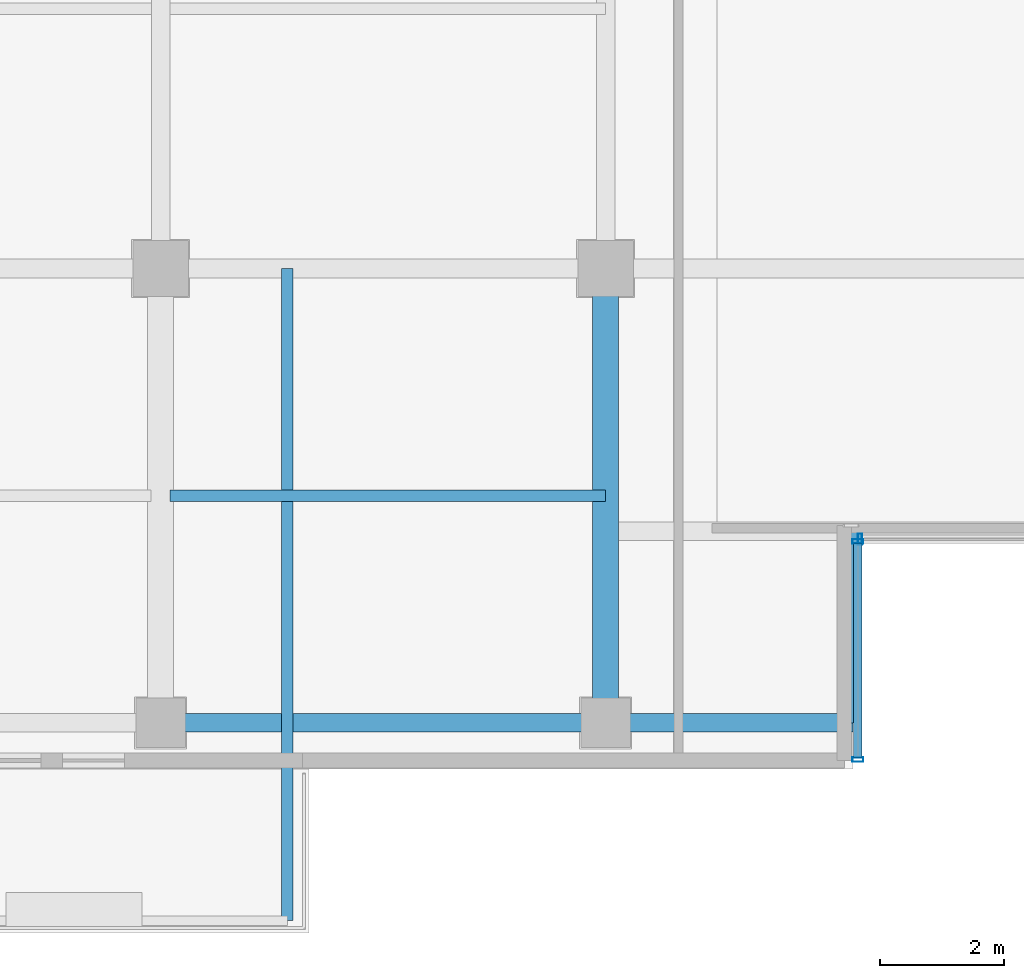
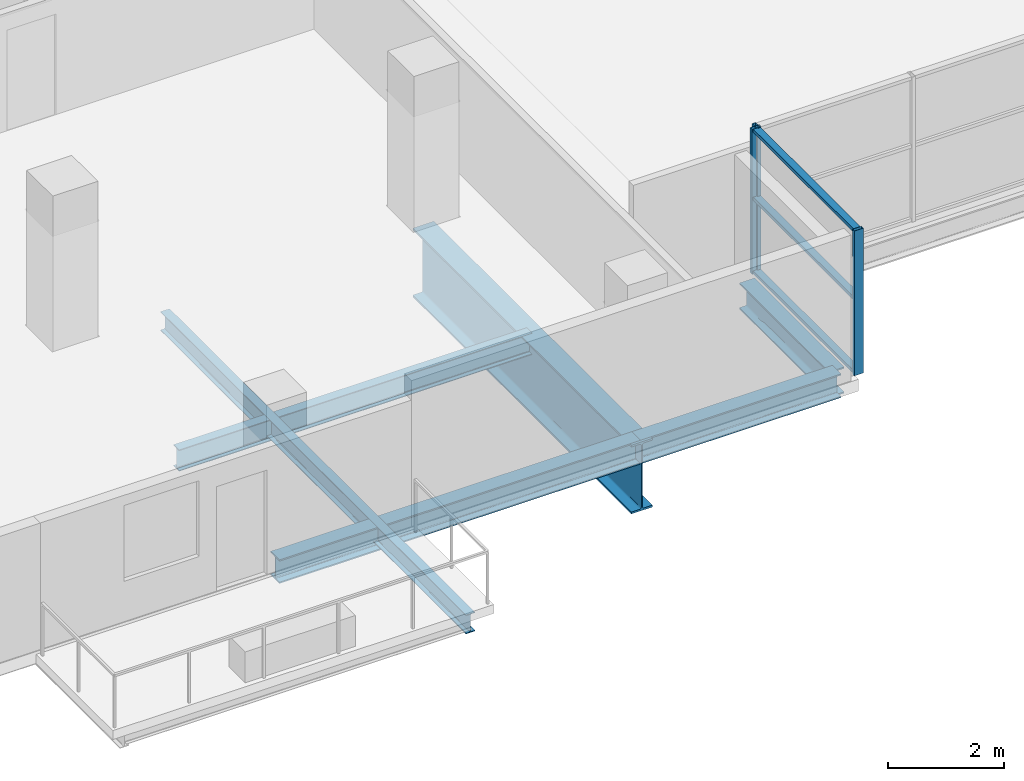
# One storey, part 5 of 27: 6 beams, 6 members, 2 elements without a shape of their own.
"""IFC4 building model written with IfcOpenShell, lengths in metres."""

from ifc_helpers import new_model, si_unit, direction, frame, origin, origin_2d, place, context, subcontext, project, spatial, hollow_rectangle, i_section, extrude, source, transform, mapped, material, layer, layer_set, material_profile, profile_set, type_object, element, aggregate, save


model = new_model("IFC4")

# Units and contexts
model_context = context("Model", 3, precision=1e-05, world=origin(), true_north=direction((0.0, 1.0)))
body_context = subcontext(model_context, "Body", "Model", "MODEL_VIEW")
ifc_project = project(units=[si_unit("LENGTHUNIT", "METRE"), si_unit("AREAUNIT", "SQUARE_METRE"), si_unit("VOLUMEUNIT", "CUBIC_METRE"), si_unit("PLANEANGLEUNIT", "RADIAN"), si_unit("MASSUNIT", "GRAM", prefix="KILO")], contexts=[model_context])

# Site, building, storey
site_placement = place(None, origin())
site = spatial("IfcSite", under=ifc_project, at=site_placement, CompositionType="ELEMENT")
building_placement = place(site_placement, origin())
building = spatial("IfcBuilding", under=site, at=building_placement, Name="Zarnakvel Exchange Tower", CompositionType="ELEMENT")
storey_placement = place(building_placement, frame((0.0, 0.0, 86.800048828125)))
storey = spatial("IfcBuildingStorey", under=building, at=storey_placement, Name="L23", CompositionType="ELEMENT", Elevation=86.800048828125)

# Beams
ifc_material_1 = material(Name="Steel S355", Category="steel")
ifc_material_profile_1 = material_profile(ifc_material_1, i_section(OverallWidth=0.18994140625, OverallDepth=0.449951171875, WebThickness=0.009521484375, FlangeThickness=0.0146484375, FilletRadius=0.02099609375, at=origin_2d()))
ifc_profile_set_1 = profile_set([ifc_material_profile_1], Name="Steel S355")
beam_type_1 = type_object("IfcBeamType", Name="B-05", PredefinedType="JOIST", material=ifc_profile_set_1)
beam_1_placement = place(storey_placement, frame((-14.2451171875, -13.27490234375, -0.47509765625), z_axis=(1.0, 0.0, 0.0), x_axis=(0.0, 1.0, 0.0)))
element("IfcBeam", 1, at=beam_1_placement, inside=storey, type_object=beam_type_1, Name="L23 Composite Floor Secondary Joist", PredefinedType="JOIST", context=body_context, shape_type="SweptSolid", body=[
    extrude(i_section(OverallWidth=0.18994140625, OverallDepth=0.449951171875, WebThickness=0.009521484375, FlangeThickness=0.0146484375, FilletRadius=0.02099609375, at=origin_2d()), origin(), (0.0, 0.0, 1.0), 7.045166015625),
])
ifc_material_profile_2 = material_profile(ifc_material_1, i_section(OverallWidth=0.179931640625, OverallDepth=0.39990234375, WebThickness=0.008544921875, FlangeThickness=0.013427734375, FilletRadius=0.02099609375, at=origin_2d()))
ifc_profile_set_2 = profile_set([ifc_material_profile_2], Name="Steel S355")
beam_type_2 = type_object("IfcBeamType", Name="B-06", PredefinedType="JOIST", material=ifc_profile_set_2)
beam_2_placement = place(storey_placement, frame((-12.35009765625, -9.60009765625, -0.449951171875), z_axis=(0.0, -1.0, 0.0), x_axis=(1.0, 0.0, 0.0)))
element("IfcBeam", 2, at=beam_2_placement, inside=storey, type_object=beam_type_2, Name="L23 Continuous Back-Spanned Balcony Beam E", PredefinedType="JOIST", context=body_context, shape_type="SweptSolid", body=[
    extrude(i_section(OverallWidth=0.179931640625, OverallDepth=0.39990234375, WebThickness=0.008544921875, FlangeThickness=0.013427734375, FilletRadius=0.02099609375, at=origin_2d()), origin(), (0.0, 0.0, 1.0), 10.5498046875),
])
ifc_material_profile_3 = material_profile(ifc_material_1, i_section(OverallWidth=0.300048828125, OverallDepth=0.550048828125, WebThickness=0.014892578125, FlangeThickness=0.029052734375, FilletRadius=0.027099609375, at=origin_2d()))
ifc_profile_set_3 = profile_set([ifc_material_profile_3], Name="Steel S355")
beam_type_3 = type_object("IfcBeamType", Name="G-05", PredefinedType="BEAM", material=ifc_profile_set_3)
beam_3_placement = place(storey_placement, frame((-3.199951171875, -16.949951171875, -0.525146484375), z_axis=(0.0, 1.0, 0.0), x_axis=(-1.0, 0.0, 0.0)))
element("IfcBeam", 3, at=beam_3_placement, inside=storey, type_object=beam_type_3, Name="L23 South Slot West Cheek Beam", PredefinedType="BEAM", context=body_context, shape_type="SweptSolid", body=[
    extrude(i_section(OverallWidth=0.300048828125, OverallDepth=0.550048828125, WebThickness=0.014892578125, FlangeThickness=0.029052734375, FilletRadius=0.027099609375, at=origin_2d()), origin(), (0.0, 0.0, 1.0), 3.099853515625),
])
ifc_material_profile_4 = material_profile(ifc_material_1, i_section(OverallWidth=0.300048828125, OverallDepth=0.5, WebThickness=0.014404296875, FlangeThickness=0.028076171875, FilletRadius=0.027099609375, at=origin_2d()))
ifc_profile_set_4 = profile_set([ifc_material_profile_4], Name="Steel S355")
beam_type_4 = type_object("IfcBeamType", Name="SP-02", PredefinedType="SPANDREL", material=ifc_profile_set_4)
beam_4_placement = place(storey_placement, frame((-14.39990234375, -16.949951171875, -0.5), z_axis=(1.0, 0.0, 0.0), x_axis=(0.0, 1.0, 0.0)))
element("IfcBeam", 4, at=beam_4_placement, inside=storey, type_object=beam_type_4, Name="L23 Tower E-W Frame Beam", PredefinedType="SPANDREL", context=body_context, shape_type="SweptSolid", body=[
    extrude(i_section(OverallWidth=0.300048828125, OverallDepth=0.5, WebThickness=0.014404296875, FlangeThickness=0.028076171875, FilletRadius=0.027099609375, at=origin_2d()), origin(), (0.0, 0.0, 1.0), 7.199951171875),
])
beam_5_placement = place(storey_placement, frame((-7.199951171875, -16.949951171875, -0.5), z_axis=(1.0, 0.0, 0.0), x_axis=(0.0, 1.0, 0.0)))
element("IfcBeam", 5, at=beam_5_placement, inside=storey, type_object=beam_type_4, Name="L23 South Slot West Jamb Spandrel", PredefinedType="SPANDREL", context=body_context, shape_type="SweptSolid", body=[
    extrude(i_section(OverallWidth=0.300048828125, OverallDepth=0.5, WebThickness=0.014404296875, FlangeThickness=0.028076171875, FilletRadius=0.027099609375, at=origin_2d()), origin(), (0.0, 0.0, 1.0), 4.0),
])
ifc_material_2 = material(Name="Steel S460", Category="steel")
ifc_material_profile_5 = material_profile(ifc_material_2, i_section(OverallWidth=0.419921875, OverallDepth=1.449951171875, WebThickness=0.02392578125, FlangeThickness=0.0400390625, FilletRadius=0.030029296875, at=origin_2d()))
ifc_profile_set_5 = profile_set([ifc_material_profile_5], Name="Steel S460")
beam_type_5 = type_object("IfcBeamType", Name="TG-01", PredefinedType="BEAM", material=ifc_profile_set_5)
beam_6_placement = place(storey_placement, frame((-7.199951171875, -17.14990234375, -0.97509765625), z_axis=(0.0, 1.0, 0.0), x_axis=(-1.0, 0.0, 0.0)))
element("IfcBeam", 6, at=beam_6_placement, inside=storey, type_object=beam_type_5, Name="L23 Setback N-S Transfer Girder TS-5", PredefinedType="BEAM", context=body_context, shape_type="SweptSolid", body=[
    extrude(i_section(OverallWidth=0.419921875, OverallDepth=1.449951171875, WebThickness=0.02392578125, FlangeThickness=0.0400390625, FilletRadius=0.030029296875, at=origin_2d()), origin(), (0.0, 0.0, 1.0), 7.5498046875),
])

# Curtain wall, members
ifc_material_3 = material(Name="Architectural Bronze Anodised Aluminium", Category="aluminium")
ifc_layer = layer(ifc_material_3, 0.179931640625)
ifc_layer_set = layer_set([ifc_layer], Name="Architectural Bronze Anodised Aluminium")
curtain_wall_type = type_object("IfcCurtainWallType", Name="CW-05", PredefinedType="NOTDEFINED", material=ifc_layer_set)
curtain_wall_1_placement = place(storey_placement, origin())
curtain_wall_1 = element("IfcCurtainWall", 7, at=curtain_wall_1_placement, inside=storey, type_object=curtain_wall_type, Name="L23 Curtain Wall CW-L23-SLW (CW-05)", PredefinedType="NOTDEFINED")
ifc_material_profile_6 = material_profile(ifc_material_3, hollow_rectangle(XDim=0.139892578125, YDim=0.070068359375, WallThickness=0.00390625, at=origin_2d()))
ifc_profile_set_6 = profile_set([ifc_material_profile_6], Name="Architectural Bronze Anodised Aluminium")
member_type_1 = type_object("IfcMemberType", Name="CWT-05", PredefinedType="USERDEFINED", material=ifc_profile_set_6)
shared_shape_1 = source(origin(), body_context, "Body", "SweptSolid", [
    extrude(hollow_rectangle(XDim=0.139892578125, YDim=0.070068359375, WallThickness=0.00390625, at=origin_2d()), origin(), (0.0, 0.0, 1.0), 3.4599609375),
])
member_1_placement = place(storey_placement, frame((-3.1201171875, -17.510009765625, 0.034912109375), z_axis=(0.0, 1.0, 0.0), x_axis=(-1.0, 0.0, 0.0)))
member_1 = element("IfcMember", 8, at=member_1_placement, type_object=member_type_1, Name="CW-05 transom 1.1", ObjectType="TRANSOM", PredefinedType="USERDEFINED", context=body_context, shape_type="MappedRepresentation", body=[
    mapped(shared_shape_1, transform((0.0, 0.0, 0.0), x_axis=(1.0, 0.0, 0.0), y_axis=(0.0, 1.0, 0.0), z_axis=(0.0, 0.0, 1.0), scale=1.0)),
])
member_2_placement = place(storey_placement, frame((-3.1201171875, -17.510009765625, 1.588623046875), z_axis=(0.0, 1.0, 0.0), x_axis=(-1.0, 0.0, 0.0)))
member_2 = element("IfcMember", 9, at=member_2_placement, type_object=member_type_1, Name="CW-05 transom 1.2", ObjectType="TRANSOM", PredefinedType="USERDEFINED", context=body_context, shape_type="MappedRepresentation", body=[
    mapped(shared_shape_1, transform((0.0, 0.0, 0.0), x_axis=(1.0, 0.0, 0.0), y_axis=(0.0, 1.0, 0.0), z_axis=(0.0, 0.0, 1.0), scale=1.0)),
])
member_3_placement = place(storey_placement, frame((-3.1201171875, -17.510009765625, 3.02001953125), z_axis=(0.0, 1.0, 0.0), x_axis=(-1.0, 0.0, 0.0)))
member_3 = element("IfcMember", 10, at=member_3_placement, type_object=member_type_1, Name="CW-05 transom 1.3", ObjectType="TRANSOM", PredefinedType="USERDEFINED", context=body_context, shape_type="MappedRepresentation", body=[
    mapped(shared_shape_1, transform((0.0, 0.0, 0.0), x_axis=(1.0, 0.0, 0.0), y_axis=(0.0, 1.0, 0.0), z_axis=(0.0, 0.0, 1.0), scale=1.0)),
])
ifc_material_profile_7 = material_profile(ifc_material_3, hollow_rectangle(XDim=0.179931640625, YDim=0.070068359375, WallThickness=0.00390625, at=origin_2d()))
ifc_profile_set_7 = profile_set([ifc_material_profile_7], Name="Architectural Bronze Anodised Aluminium")
member_type_2 = type_object("IfcMemberType", Name="CWM-05", PredefinedType="MULLION", material=ifc_profile_set_7)
shared_shape_2 = source(origin(), body_context, "Body", "SweptSolid", [
    extrude(hollow_rectangle(XDim=0.179931640625, YDim=0.070068359375, WallThickness=0.00390625, at=origin_2d()), origin(), (0.0, 0.0, 1.0), 3.054931640625),
])
member_4_placement = place(storey_placement, frame((-3.1201171875, -17.544921875, 0.0), z_axis=(0.0, 0.0, 1.0), x_axis=(-1.0, 0.0, 0.0)))
member_4 = element("IfcMember", 11, at=member_4_placement, type_object=member_type_2, Name="CW-05 mullion 1", PredefinedType="MULLION", context=body_context, shape_type="MappedRepresentation", body=[
    mapped(shared_shape_2, transform((0.0, 0.0, 0.0), x_axis=(1.0, 0.0, 0.0), y_axis=(0.0, 1.0, 0.0), z_axis=(0.0, 0.0, 1.0), scale=1.0)),
])
member_5_placement = place(storey_placement, frame((-3.1201171875, -14.014892578125, 0.0), z_axis=(0.0, 0.0, 1.0), x_axis=(-1.0, 0.0, 0.0)))
member_5 = element("IfcMember", 12, at=member_5_placement, type_object=member_type_2, Name="CW-05 mullion 2", PredefinedType="MULLION", context=body_context, shape_type="MappedRepresentation", body=[
    mapped(shared_shape_2, transform((0.0, 0.0, 0.0), x_axis=(1.0, 0.0, 0.0), y_axis=(0.0, 1.0, 0.0), z_axis=(0.0, 0.0, 1.0), scale=1.0)),
])
aggregate(curtain_wall_1, [member_4, member_5, member_1, member_2, member_3])

# Curtain wall, member
curtain_wall_2_placement = place(storey_placement, origin())
curtain_wall_2 = element("IfcCurtainWall", 13, at=curtain_wall_2_placement, inside=storey, type_object=curtain_wall_type, Name="L23 Curtain Wall CW-L23-SLB (CW-05)", PredefinedType="NOTDEFINED")
member_6_placement = place(storey_placement, frame((-3.0849609375, -13.97998046875, 0.0), z_axis=(0.0, 0.0, 1.0), x_axis=(0.0, 1.0, 0.0)))
member_6 = element("IfcMember", 14, at=member_6_placement, type_object=member_type_2, Name="CW-05 mullion 1", PredefinedType="MULLION", context=body_context, shape_type="MappedRepresentation", body=[
    mapped(shared_shape_2, transform((0.0, 0.0, 0.0), x_axis=(1.0, 0.0, 0.0), y_axis=(0.0, 1.0, 0.0), z_axis=(0.0, 0.0, 1.0), scale=1.0)),
])
aggregate(curtain_wall_2, [member_6])

save(model, "model.ifc")
